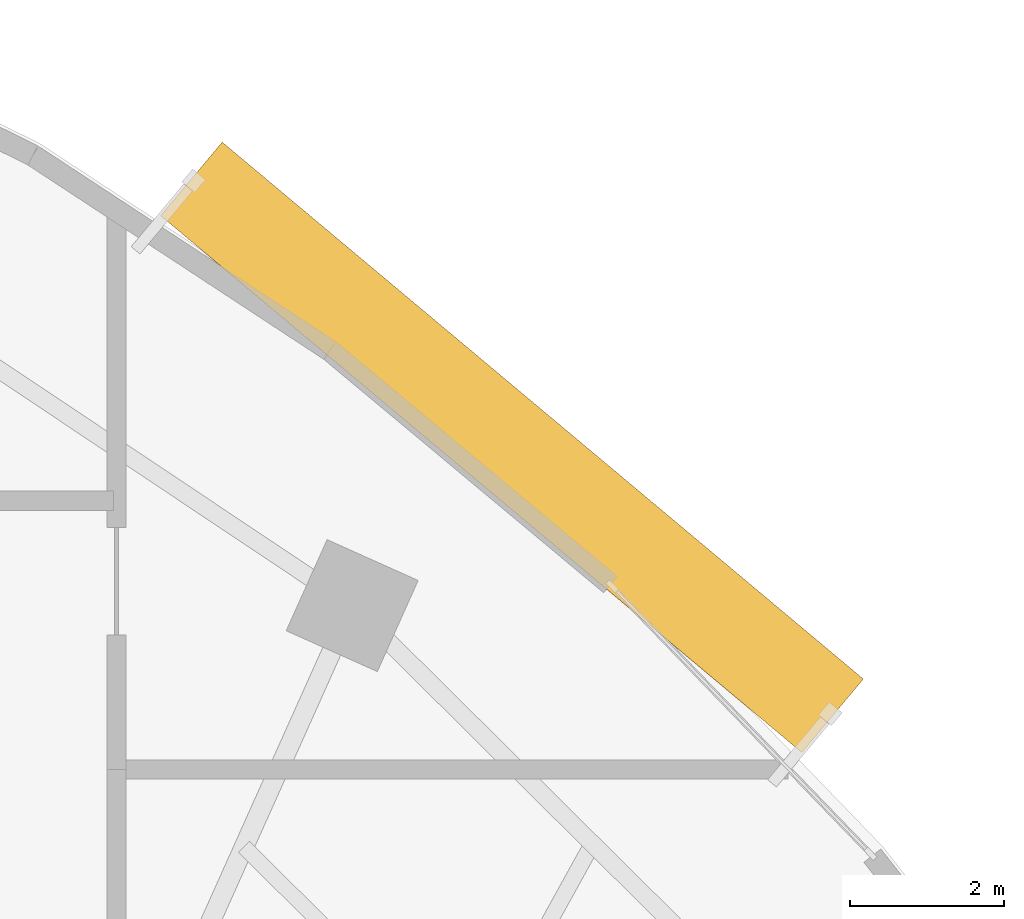
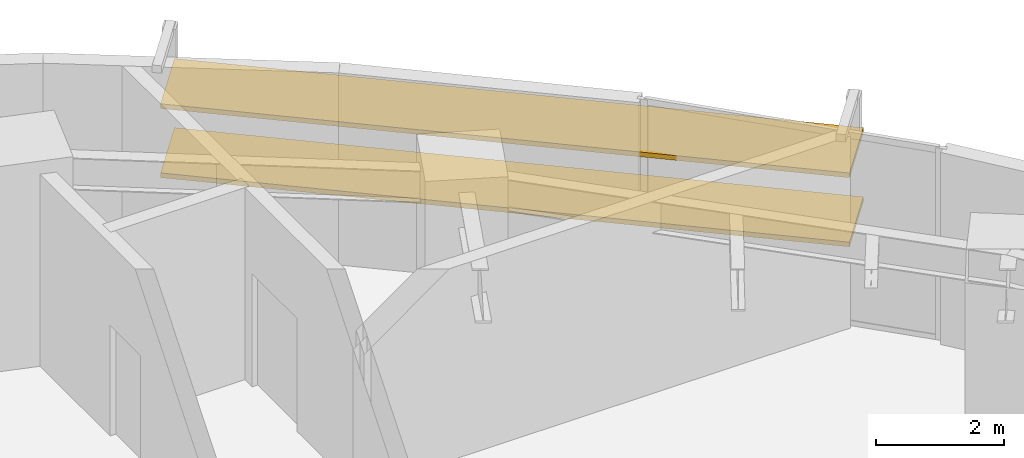
# One storey, part 14 of 14: 2 shading devices.
"""IFC4 building model written with IfcOpenShell, lengths in metres."""

from ifc_helpers import new_model, si_unit, direction, frame, origin, origin_2d, place, context, subcontext, project, spatial, rectangle, extrude, source, transform, mapped, material, material_profile, profile_set, type_object, element, save


model = new_model("IFC4")

# Units and contexts
model_context = context("Model", 3, precision=1e-05, world=origin(), true_north=direction((0.0, 1.0)))
body_context = subcontext(model_context, "Body", "Model", "MODEL_VIEW")
ifc_project = project(units=[si_unit("LENGTHUNIT", "METRE"), si_unit("AREAUNIT", "SQUARE_METRE"), si_unit("VOLUMEUNIT", "CUBIC_METRE"), si_unit("PLANEANGLEUNIT", "RADIAN"), si_unit("MASSUNIT", "GRAM", prefix="KILO")], contexts=[model_context])

# Site, building, storey
site_placement = place(None, origin())
site = spatial("IfcSite", under=ifc_project, at=site_placement, CompositionType="ELEMENT")
building_placement = place(site_placement, origin())
building = spatial("IfcBuilding", under=site, at=building_placement, Name="Breltana Convention Tower", CompositionType="ELEMENT")
storey_placement = place(building_placement, frame((0.0, 0.0, 123.300048828125)))
storey = spatial("IfcBuildingStorey", under=building, at=storey_placement, Name="L29", CompositionType="ELEMENT", Elevation=123.300048828125)

# Shading devices
ifc_material = material(Name="Limestone Warm Buff Honed", Category="masonry")
ifc_material_profile = material_profile(ifc_material, rectangle(XDim=1.25, YDim=0.090087890625, at=origin_2d()), Name="STN-LVR-1250X90")
ifc_profile_set = profile_set([ifc_material_profile], Name="Limestone Warm Buff Honed")
shading_device_type = type_object("IfcShadingDeviceType", Name="SHD-OUTER-SKIN-LIMESTONE-1250", PredefinedType="JALOUSIE", material=ifc_profile_set)
shared_shape = source(origin(), body_context, "Body", "SweptSolid", [
    extrude(rectangle(XDim=1.25, YDim=0.090087890625, at=origin_2d()), origin(), (0.0, 0.0, 1.0), 10.892333984375),
])
for number, where, z_axis, x_axis, name in (
    (1, (66.81591796875, 74.190673828125, 1.31396484375), (0.766718160057, -0.641983849515, 0.0), (0.641983849515, 0.766718160057, 0.0), "L29 outer skin warm limestone louvre 2.1"),
    (2, (66.81591796875, 74.190673828125, 2.6279296875), (0.766718160057, -0.641983849515, 0.0), (0.641983849515, 0.766718160057, 0.0), "L29 outer skin warm limestone louvre 2.2"),
):
    element("IfcShadingDevice", number, at=place(storey_placement, frame(where, z_axis=z_axis, x_axis=x_axis)), inside=storey, type_object=shading_device_type, Name=name, PredefinedType="JALOUSIE", context=body_context, shape_type="MappedRepresentation", body=[
        mapped(shared_shape, transform((0.0, 0.0, 0.0), scale=1.0)),
    ])

save(model, "model.ifc")
